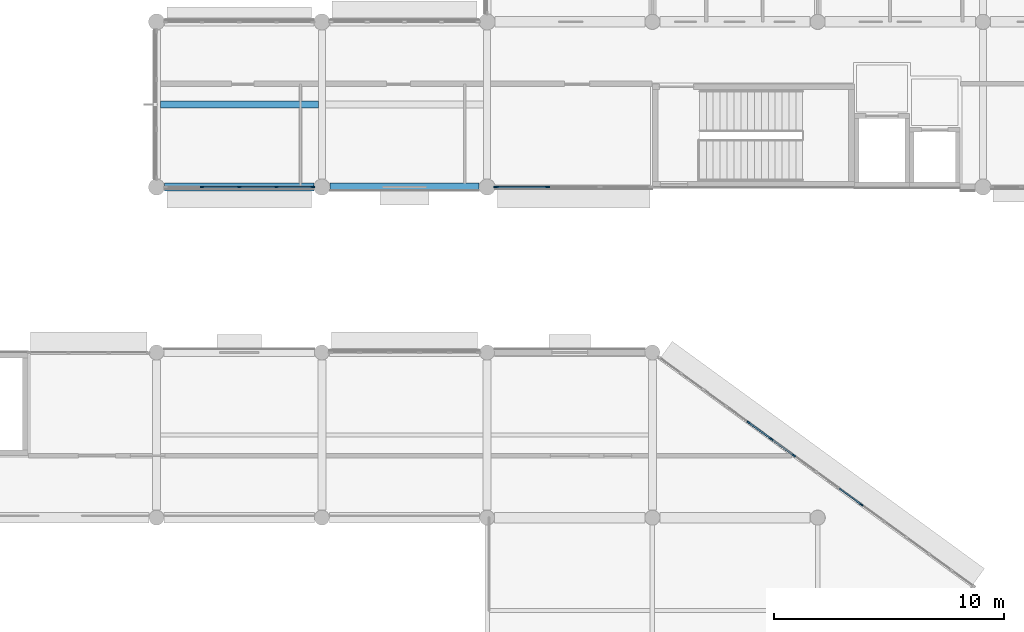
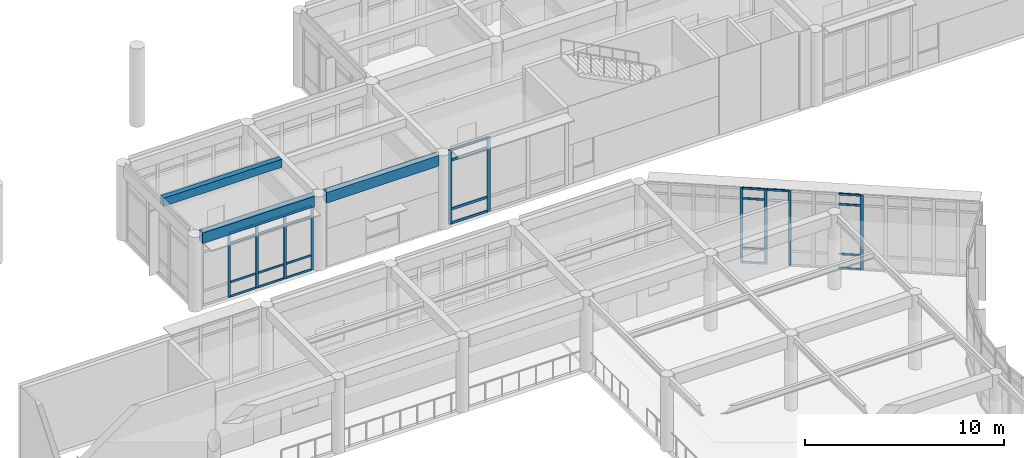
# One storey, part 20 of 92: 35 members, 3 beams, 3 elements without a shape of their own.
"""IFC4 building model written with IfcOpenShell, lengths in metres."""

from ifc_helpers import new_model, si_unit, direction, frame, origin, origin_2d, place, context, subcontext, project, spatial, rectangle, extrude, material, layer, layer_set, material_profile, profile_set, type_object, element, aggregate, save


model = new_model("IFC4")

# Units and contexts
model_context = context("Model", 3, precision=1e-05, world=origin(), true_north=direction((0.0, 1.0)))
body_context = subcontext(model_context, "Body", "Model", "MODEL_VIEW")
ifc_project = project(units=[si_unit("LENGTHUNIT", "METRE"), si_unit("AREAUNIT", "SQUARE_METRE"), si_unit("VOLUMEUNIT", "CUBIC_METRE"), si_unit("PLANEANGLEUNIT", "RADIAN"), si_unit("MASSUNIT", "GRAM", prefix="KILO")], contexts=[model_context])

# Site, building, storey
site_placement = place(None, origin())
site = spatial("IfcSite", under=ifc_project, at=site_placement, CompositionType="ELEMENT")
building_placement = place(site_placement, origin())
building = spatial("IfcBuilding", under=site, at=building_placement, Name="Namkhue Oval Health Centre", CompositionType="ELEMENT")
storey_placement = place(building_placement, frame((0.0, 0.0, 4.800048828125)))
storey = spatial("IfcBuildingStorey", under=building, at=storey_placement, Name="L01", CompositionType="ELEMENT", Elevation=4.800048828125)

# Curtain wall, members
ifc_material_1 = material(Name="Anodised aluminium EN AW-6063 T6", Category="aluminium")
ifc_layer_1 = layer(ifc_material_1, 0.159912109375)
ifc_layer_set_1 = layer_set([ifc_layer_1], Name="Anodised aluminium EN AW-6063 T6")
curtain_wall_type_1 = type_object("IfcCurtainWallType", Name="UNITISED CURTAIN WALL M1200", PredefinedType="NOTDEFINED", material=ifc_layer_set_1)
curtain_wall_1_placement = place(storey_placement, origin())
curtain_wall_1 = element("IfcCurtainWall", 1, at=curtain_wall_1_placement, inside=storey, type_object=curtain_wall_type_1, Name="Volume V1 L01 Unitised Curtain Wall 31", PredefinedType="NOTDEFINED")
ifc_material_profile_1 = material_profile(ifc_material_1, rectangle(XDim=0.06494140625, YDim=0.159912109375, at=origin_2d()), Name="ALU 65x160")
ifc_profile_set_1 = profile_set([ifc_material_profile_1], Name="Anodised aluminium EN AW-6063 T6")
member_type_1 = type_object("IfcMemberType", Name="CURTAIN WALL MULLION 65X160", PredefinedType="MULLION", material=ifc_profile_set_1)
member_1_placement = place(storey_placement, frame((66.708251953125, 76.170654296875, 0.0), z_axis=(0.0, 0.0, 1.0), x_axis=(-0.588476942894, -0.808513999682, 0.0)))
member_1 = element("IfcMember", 2, at=member_1_placement, type_object=member_type_1, Name="CW-01 mullion 6", PredefinedType="MULLION", context=body_context, shape_type="SweptSolid", body=[
    extrude(rectangle(XDim=0.06494140625, YDim=0.159912109375, at=origin_2d()), origin(), (0.0, 0.0, 1.0), 4.599853515625),
])
member_2_placement = place(storey_placement, frame((63.762451171875, 78.314697265625, 0.0), z_axis=(0.0, 0.0, 1.0), x_axis=(-0.588476942894, -0.808513999682, 0.0)))
member_2 = element("IfcMember", 3, at=member_2_placement, type_object=member_type_1, Name="CW-01 mullion 9", PredefinedType="MULLION", context=body_context, shape_type="SweptSolid", body=[
    extrude(rectangle(XDim=0.06494140625, YDim=0.159912109375, at=origin_2d()), origin(), (0.0, 0.0, 1.0), 4.599853515625),
])
member_3_placement = place(storey_placement, frame((62.780517578125, 79.029296875, 0.0), z_axis=(0.0, 0.0, 1.0), x_axis=(-0.588476942894, -0.808513999682, 0.0)))
member_3 = element("IfcMember", 4, at=member_3_placement, type_object=member_type_1, Name="CW-01 mullion 10", PredefinedType="MULLION", context=body_context, shape_type="SweptSolid", body=[
    extrude(rectangle(XDim=0.06494140625, YDim=0.159912109375, at=origin_2d()), origin(), (0.0, 0.0, 1.0), 4.599853515625),
])
member_4_placement = place(storey_placement, frame((61.798583984375, 79.744140625, 0.0), z_axis=(0.0, 0.0, 1.0), x_axis=(-0.588476942894, -0.808513999682, 0.0)))
member_4 = element("IfcMember", 5, at=member_4_placement, type_object=member_type_1, Name="CW-01 mullion 11", PredefinedType="MULLION", context=body_context, shape_type="SweptSolid", body=[
    extrude(rectangle(XDim=0.06494140625, YDim=0.159912109375, at=origin_2d()), origin(), (0.0, 0.0, 1.0), 4.599853515625),
])

ifc_layer_2 = layer(ifc_material_1, 0.159912109375)
ifc_layer_set_2 = layer_set([ifc_layer_2], Name="Anodised aluminium EN AW-6063 T6")
curtain_wall_type_2 = type_object("IfcCurtainWallType", Name="UNITISED CURTAIN WALL M1800", PredefinedType="NOTDEFINED", material=ifc_layer_set_2)
curtain_wall_2_placement = place(storey_placement, origin())
curtain_wall_2 = element("IfcCurtainWall", 6, at=curtain_wall_2_placement, inside=storey, type_object=curtain_wall_type_2, Name="Volume V2 L01 Unitised Curtain Wall 47", PredefinedType="NOTDEFINED")
member_5_placement = place(storey_placement, frame((37.97998046875, 90.0, 0.0), z_axis=(0.0, 0.0, 1.0), x_axis=(0.0, 1.0, 0.0)))
member_5 = element("IfcMember", 7, at=member_5_placement, type_object=member_type_1, Name="CW-05 mullion 2", PredefinedType="MULLION", context=body_context, shape_type="SweptSolid", body=[
    extrude(rectangle(XDim=0.06494140625, YDim=0.159912109375, at=origin_2d()), origin(), (0.0, 0.0, 1.0), 3.93505859375),
])
member_6_placement = place(storey_placement, frame((39.60009765625, 90.0, 0.0), z_axis=(0.0, 0.0, 1.0), x_axis=(0.0, 1.0, 0.0)))
member_6 = element("IfcMember", 8, at=member_6_placement, type_object=member_type_1, Name="CW-05 mullion 3", PredefinedType="MULLION", context=body_context, shape_type="SweptSolid", body=[
    extrude(rectangle(XDim=0.06494140625, YDim=0.159912109375, at=origin_2d()), origin(), (0.0, 0.0, 1.0), 3.93505859375),
])
member_7_placement = place(storey_placement, frame((41.219970703125, 90.0, 0.0), z_axis=(0.0, 0.0, 1.0), x_axis=(0.0, 1.0, 0.0)))
member_7 = element("IfcMember", 9, at=member_7_placement, type_object=member_type_1, Name="CW-05 mullion 4", PredefinedType="MULLION", context=body_context, shape_type="SweptSolid", body=[
    extrude(rectangle(XDim=0.06494140625, YDim=0.159912109375, at=origin_2d()), origin(), (0.0, 0.0, 1.0), 3.93505859375),
])
member_8_placement = place(storey_placement, frame((42.8076171875, 90.0, 0.0), z_axis=(0.0, 0.0, 1.0), x_axis=(0.0, 1.0, 0.0)))
member_8 = element("IfcMember", 10, at=member_8_placement, type_object=member_type_1, Name="CW-05 mullion 5", PredefinedType="MULLION", context=body_context, shape_type="SweptSolid", body=[
    extrude(rectangle(XDim=0.06494140625, YDim=0.159912109375, at=origin_2d()), origin(), (0.0, 0.0, 1.0), 3.93505859375),
])

ifc_layer_3 = layer(ifc_material_1, 0.159912109375)
ifc_layer_set_3 = layer_set([ifc_layer_3], Name="Anodised aluminium EN AW-6063 T6")
curtain_wall_type_3 = type_object("IfcCurtainWallType", Name="UNITISED CURTAIN WALL M2000", PredefinedType="NOTDEFINED", material=ifc_layer_set_3)
curtain_wall_3_placement = place(storey_placement, origin())
curtain_wall_3 = element("IfcCurtainWall", 11, at=curtain_wall_3_placement, inside=storey, type_object=curtain_wall_type_3, Name="Volume V2 L01 Unitised Curtain Wall 48", PredefinedType="NOTDEFINED")
ifc_material_profile_2 = material_profile(ifc_material_1, rectangle(XDim=0.074951171875, YDim=0.199951171875, at=origin_2d()), Name="ALU 75x200")
ifc_profile_set_2 = profile_set([ifc_material_profile_2], Name="Anodised aluminium EN AW-6063 T6")
member_type_2 = type_object("IfcMemberType", Name="CURTAIN WALL MULLION 75X200", PredefinedType="MULLION", material=ifc_profile_set_2)
member_9_placement = place(storey_placement, frame((50.797607421875, 90.0, 0.0), z_axis=(0.0, 0.0, 1.0), x_axis=(0.0, 1.0, 0.0)))
member_9 = element("IfcMember", 12, at=member_9_placement, type_object=member_type_2, Name="CW-06 mullion 1", PredefinedType="MULLION", context=body_context, shape_type="SweptSolid", body=[
    extrude(rectangle(XDim=0.074951171875, YDim=0.199951171875, at=origin_2d()), origin(), (0.0, 0.0, 1.0), 4.554931640625),
])
member_10_placement = place(storey_placement, frame((53.034423828125, 90.0, 0.0), z_axis=(0.0, 0.0, 1.0), x_axis=(0.0, 1.0, 0.0)))
member_10 = element("IfcMember", 13, at=member_10_placement, type_object=member_type_2, Name="CW-06 mullion 2", PredefinedType="MULLION", context=body_context, shape_type="SweptSolid", body=[
    extrude(rectangle(XDim=0.074951171875, YDim=0.199951171875, at=origin_2d()), origin(), (0.0, 0.0, 1.0), 4.554931640625),
])

# Member
ifc_material_profile_3 = material_profile(ifc_material_1, rectangle(XDim=0.06494140625, YDim=0.1201171875, at=origin_2d()), Name="ALU 65x120")
ifc_profile_set_3 = profile_set([ifc_material_profile_3], Name="Anodised aluminium EN AW-6063 T6")
member_type_3 = type_object("IfcMemberType", Name="CURTAIN WALL TRANSOM 65X120", PredefinedType="USERDEFINED", material=ifc_profile_set_3)
member_11_placement = place(storey_placement, frame((66.68212890625, 76.189697265625, 0.032470703125), z_axis=(-0.808506429569, 0.588487343403, 0.0), x_axis=(-0.588487343403, -0.808506429569, 0.0)))
member_11 = element("IfcMember", 14, at=member_11_placement, type_object=member_type_3, Name="CW-01 transom 6.1", ObjectType="TRANSOM", PredefinedType="USERDEFINED", context=body_context, shape_type="SweptSolid", body=[
    extrude(rectangle(XDim=0.06494140625, YDim=0.1201171875, at=origin_2d()), origin(), (0.0, 0.0, 1.0), 1.149658203125),
])

member_12_placement = place(storey_placement, frame((66.68212890625, 76.189697265625, 0.89990234375), z_axis=(-0.808506429569, 0.588487343403, 0.0), x_axis=(-0.588487343403, -0.808506429569, 0.0)))
member_12 = element("IfcMember", 15, at=member_12_placement, type_object=member_type_3, Name="CW-01 transom 6.2", ObjectType="TRANSOM", PredefinedType="USERDEFINED", context=body_context, shape_type="SweptSolid", body=[
    extrude(rectangle(XDim=0.06494140625, YDim=0.1201171875, at=origin_2d()), origin(), (0.0, 0.0, 1.0), 1.149658203125),
])

member_13_placement = place(storey_placement, frame((66.68212890625, 76.189697265625, 3.949951171875), z_axis=(-0.808506429569, 0.588487343403, 0.0), x_axis=(-0.588487343403, -0.808506429569, 0.0)))
member_13 = element("IfcMember", 16, at=member_13_placement, type_object=member_type_3, Name="CW-01 transom 6.3", ObjectType="TRANSOM", PredefinedType="USERDEFINED", context=body_context, shape_type="SweptSolid", body=[
    extrude(rectangle(XDim=0.06494140625, YDim=0.1201171875, at=origin_2d()), origin(), (0.0, 0.0, 1.0), 1.149658203125),
])

member_14_placement = place(storey_placement, frame((66.68212890625, 76.189697265625, 4.5673828125), z_axis=(-0.808506429569, 0.588487343403, 0.0), x_axis=(-0.588487343403, -0.808506429569, 0.0)))
member_14 = element("IfcMember", 17, at=member_14_placement, type_object=member_type_3, Name="CW-01 transom 6.4", ObjectType="TRANSOM", PredefinedType="USERDEFINED", context=body_context, shape_type="SweptSolid", body=[
    extrude(rectangle(XDim=0.06494140625, YDim=0.1201171875, at=origin_2d()), origin(), (0.0, 0.0, 1.0), 1.149658203125),
])

member_15_placement = place(storey_placement, frame((63.736083984375, 78.333740234375, 4.5673828125), z_axis=(-0.808432861947, 0.588588402642, 0.0), x_axis=(-0.588588402642, -0.808432861947, 0.0)))
member_15 = element("IfcMember", 18, at=member_15_placement, type_object=member_type_3, Name="CW-01 transom 9.4", ObjectType="TRANSOM", PredefinedType="USERDEFINED", context=body_context, shape_type="SweptSolid", body=[
    extrude(rectangle(XDim=0.06494140625, YDim=0.1201171875, at=origin_2d()), origin(), (0.0, 0.0, 1.0), 1.1494140625),
])

member_16_placement = place(storey_placement, frame((62.754150390625, 79.048583984375, 0.032470703125), z_axis=(-0.808533934655, 0.588449553073, 0.0), x_axis=(-0.588449553073, -0.808533934655, 0.0)))
member_16 = element("IfcMember", 19, at=member_16_placement, type_object=member_type_3, Name="CW-01 transom 10.1", ObjectType="TRANSOM", PredefinedType="USERDEFINED", context=body_context, shape_type="SweptSolid", body=[
    extrude(rectangle(XDim=0.06494140625, YDim=0.1201171875, at=origin_2d()), origin(), (0.0, 0.0, 1.0), 1.149169921875),
])

member_17_placement = place(storey_placement, frame((62.754150390625, 79.048583984375, 0.89990234375), z_axis=(-0.808533934655, 0.588449553073, 0.0), x_axis=(-0.588449553073, -0.808533934655, 0.0)))
member_17 = element("IfcMember", 20, at=member_17_placement, type_object=member_type_3, Name="CW-01 transom 10.2", ObjectType="TRANSOM", PredefinedType="USERDEFINED", context=body_context, shape_type="SweptSolid", body=[
    extrude(rectangle(XDim=0.06494140625, YDim=0.1201171875, at=origin_2d()), origin(), (0.0, 0.0, 1.0), 1.149169921875),
])

member_18_placement = place(storey_placement, frame((62.754150390625, 79.048583984375, 3.949951171875), z_axis=(-0.808533934655, 0.588449553073, 0.0), x_axis=(-0.588449553073, -0.808533934655, 0.0)))
member_18 = element("IfcMember", 21, at=member_18_placement, type_object=member_type_3, Name="CW-01 transom 10.3", ObjectType="TRANSOM", PredefinedType="USERDEFINED", context=body_context, shape_type="SweptSolid", body=[
    extrude(rectangle(XDim=0.06494140625, YDim=0.1201171875, at=origin_2d()), origin(), (0.0, 0.0, 1.0), 1.149169921875),
])

member_19_placement = place(storey_placement, frame((62.754150390625, 79.048583984375, 4.5673828125), z_axis=(-0.808533934655, 0.588449553073, 0.0), x_axis=(-0.588449553073, -0.808533934655, 0.0)))
member_19 = element("IfcMember", 22, at=member_19_placement, type_object=member_type_3, Name="CW-01 transom 10.4", ObjectType="TRANSOM", PredefinedType="USERDEFINED", context=body_context, shape_type="SweptSolid", body=[
    extrude(rectangle(XDim=0.06494140625, YDim=0.1201171875, at=origin_2d()), origin(), (0.0, 0.0, 1.0), 1.149169921875),
])

aggregate(curtain_wall_1, [member_1, member_2, member_3, member_4, member_11, member_12, member_13, member_14, member_15, member_16, member_17, member_18, member_19])

member_20_placement = place(storey_placement, frame((38.012451171875, 90.0, 0.032470703125), z_axis=(1.0, 0.0, 0.0), x_axis=(0.0, 1.0, 0.0)))
member_20 = element("IfcMember", 23, at=member_20_placement, type_object=member_type_3, Name="CW-05 transom 2.1", ObjectType="TRANSOM", PredefinedType="USERDEFINED", context=body_context, shape_type="SweptSolid", body=[
    extrude(rectangle(XDim=0.06494140625, YDim=0.1201171875, at=origin_2d()), origin(), (0.0, 0.0, 1.0), 1.554931640625),
])

member_21_placement = place(storey_placement, frame((38.012451171875, 90.0, 0.89990234375), z_axis=(1.0, 0.0, 0.0), x_axis=(0.0, 1.0, 0.0)))
member_21 = element("IfcMember", 24, at=member_21_placement, type_object=member_type_3, Name="CW-05 transom 2.2", ObjectType="TRANSOM", PredefinedType="USERDEFINED", context=body_context, shape_type="SweptSolid", body=[
    extrude(rectangle(XDim=0.06494140625, YDim=0.1201171875, at=origin_2d()), origin(), (0.0, 0.0, 1.0), 1.554931640625),
])

member_22_placement = place(storey_placement, frame((38.012451171875, 90.0, 3.284912109375), z_axis=(1.0, 0.0, 0.0), x_axis=(0.0, 1.0, 0.0)))
member_22 = element("IfcMember", 25, at=member_22_placement, type_object=member_type_3, Name="CW-05 transom 2.3", ObjectType="TRANSOM", PredefinedType="USERDEFINED", context=body_context, shape_type="SweptSolid", body=[
    extrude(rectangle(XDim=0.06494140625, YDim=0.1201171875, at=origin_2d()), origin(), (0.0, 0.0, 1.0), 1.554931640625),
])

member_23_placement = place(storey_placement, frame((38.012451171875, 90.0, 3.90234375), z_axis=(1.0, 0.0, 0.0), x_axis=(0.0, 1.0, 0.0)))
member_23 = element("IfcMember", 26, at=member_23_placement, type_object=member_type_3, Name="CW-05 transom 2.4", ObjectType="TRANSOM", PredefinedType="USERDEFINED", context=body_context, shape_type="SweptSolid", body=[
    extrude(rectangle(XDim=0.06494140625, YDim=0.1201171875, at=origin_2d()), origin(), (0.0, 0.0, 1.0), 1.554931640625),
])

member_24_placement = place(storey_placement, frame((39.632568359375, 90.0, 0.032470703125), z_axis=(1.0, 0.0, 0.0), x_axis=(0.0, 1.0, 0.0)))
member_24 = element("IfcMember", 27, at=member_24_placement, type_object=member_type_3, Name="CW-05 transom 3.1", ObjectType="TRANSOM", PredefinedType="USERDEFINED", context=body_context, shape_type="SweptSolid", body=[
    extrude(rectangle(XDim=0.06494140625, YDim=0.1201171875, at=origin_2d()), origin(), (0.0, 0.0, 1.0), 1.554931640625),
])

member_25_placement = place(storey_placement, frame((39.632568359375, 90.0, 0.89990234375), z_axis=(1.0, 0.0, 0.0), x_axis=(0.0, 1.0, 0.0)))
member_25 = element("IfcMember", 28, at=member_25_placement, type_object=member_type_3, Name="CW-05 transom 3.2", ObjectType="TRANSOM", PredefinedType="USERDEFINED", context=body_context, shape_type="SweptSolid", body=[
    extrude(rectangle(XDim=0.06494140625, YDim=0.1201171875, at=origin_2d()), origin(), (0.0, 0.0, 1.0), 1.554931640625),
])

member_26_placement = place(storey_placement, frame((39.632568359375, 90.0, 3.284912109375), z_axis=(1.0, 0.0, 0.0), x_axis=(0.0, 1.0, 0.0)))
member_26 = element("IfcMember", 29, at=member_26_placement, type_object=member_type_3, Name="CW-05 transom 3.3", ObjectType="TRANSOM", PredefinedType="USERDEFINED", context=body_context, shape_type="SweptSolid", body=[
    extrude(rectangle(XDim=0.06494140625, YDim=0.1201171875, at=origin_2d()), origin(), (0.0, 0.0, 1.0), 1.554931640625),
])

member_27_placement = place(storey_placement, frame((39.632568359375, 90.0, 3.90234375), z_axis=(1.0, 0.0, 0.0), x_axis=(0.0, 1.0, 0.0)))
member_27 = element("IfcMember", 30, at=member_27_placement, type_object=member_type_3, Name="CW-05 transom 3.4", ObjectType="TRANSOM", PredefinedType="USERDEFINED", context=body_context, shape_type="SweptSolid", body=[
    extrude(rectangle(XDim=0.06494140625, YDim=0.1201171875, at=origin_2d()), origin(), (0.0, 0.0, 1.0), 1.554931640625),
])

member_28_placement = place(storey_placement, frame((41.25244140625, 90.0, 0.032470703125), z_axis=(1.0, 0.0, 0.0), x_axis=(0.0, 1.0, 0.0)))
member_28 = element("IfcMember", 31, at=member_28_placement, type_object=member_type_3, Name="CW-05 transom 4.1", ObjectType="TRANSOM", PredefinedType="USERDEFINED", context=body_context, shape_type="SweptSolid", body=[
    extrude(rectangle(XDim=0.06494140625, YDim=0.1201171875, at=origin_2d()), origin(), (0.0, 0.0, 1.0), 1.5224609375),
])

member_29_placement = place(storey_placement, frame((41.25244140625, 90.0, 0.89990234375), z_axis=(1.0, 0.0, 0.0), x_axis=(0.0, 1.0, 0.0)))
member_29 = element("IfcMember", 32, at=member_29_placement, type_object=member_type_3, Name="CW-05 transom 4.2", ObjectType="TRANSOM", PredefinedType="USERDEFINED", context=body_context, shape_type="SweptSolid", body=[
    extrude(rectangle(XDim=0.06494140625, YDim=0.1201171875, at=origin_2d()), origin(), (0.0, 0.0, 1.0), 1.5224609375),
])

member_30_placement = place(storey_placement, frame((41.25244140625, 90.0, 3.284912109375), z_axis=(1.0, 0.0, 0.0), x_axis=(0.0, 1.0, 0.0)))
member_30 = element("IfcMember", 33, at=member_30_placement, type_object=member_type_3, Name="CW-05 transom 4.3", ObjectType="TRANSOM", PredefinedType="USERDEFINED", context=body_context, shape_type="SweptSolid", body=[
    extrude(rectangle(XDim=0.06494140625, YDim=0.1201171875, at=origin_2d()), origin(), (0.0, 0.0, 1.0), 1.5224609375),
])

member_31_placement = place(storey_placement, frame((41.25244140625, 90.0, 3.90234375), z_axis=(1.0, 0.0, 0.0), x_axis=(0.0, 1.0, 0.0)))
member_31 = element("IfcMember", 34, at=member_31_placement, type_object=member_type_3, Name="CW-05 transom 4.4", ObjectType="TRANSOM", PredefinedType="USERDEFINED", context=body_context, shape_type="SweptSolid", body=[
    extrude(rectangle(XDim=0.06494140625, YDim=0.1201171875, at=origin_2d()), origin(), (0.0, 0.0, 1.0), 1.5224609375),
])

aggregate(curtain_wall_2, [member_5, member_6, member_7, member_8, member_20, member_21, member_22, member_23, member_24, member_25, member_26, member_27, member_28, member_29, member_30, member_31])

ifc_material_profile_4 = material_profile(ifc_material_1, rectangle(XDim=0.074951171875, YDim=0.14990234375, at=origin_2d()), Name="ALU 75x150")
ifc_profile_set_4 = profile_set([ifc_material_profile_4], Name="Anodised aluminium EN AW-6063 T6")
member_type_4 = type_object("IfcMemberType", Name="CURTAIN WALL TRANSOM 75X150", PredefinedType="USERDEFINED", material=ifc_profile_set_4)
member_32_placement = place(storey_placement, frame((50.8349609375, 90.0, 0.037353515625), z_axis=(1.0, 0.0, 0.0), x_axis=(0.0, 1.0, 0.0)))
member_32 = element("IfcMember", 35, at=member_32_placement, type_object=member_type_4, Name="CW-06 transom 1.1", ObjectType="TRANSOM", PredefinedType="USERDEFINED", context=body_context, shape_type="SweptSolid", body=[
    extrude(rectangle(XDim=0.074951171875, YDim=0.14990234375, at=origin_2d()), origin(), (0.0, 0.0, 1.0), 2.161865234375),
])

member_33_placement = place(storey_placement, frame((50.8349609375, 90.0, 0.89990234375), z_axis=(1.0, 0.0, 0.0), x_axis=(0.0, 1.0, 0.0)))
member_33 = element("IfcMember", 36, at=member_33_placement, type_object=member_type_4, Name="CW-06 transom 1.2", ObjectType="TRANSOM", PredefinedType="USERDEFINED", context=body_context, shape_type="SweptSolid", body=[
    extrude(rectangle(XDim=0.074951171875, YDim=0.14990234375, at=origin_2d()), origin(), (0.0, 0.0, 1.0), 2.161865234375),
])

member_34_placement = place(storey_placement, frame((50.8349609375, 90.0, 3.905029296875), z_axis=(1.0, 0.0, 0.0), x_axis=(0.0, 1.0, 0.0)))
member_34 = element("IfcMember", 37, at=member_34_placement, type_object=member_type_4, Name="CW-06 transom 1.3", ObjectType="TRANSOM", PredefinedType="USERDEFINED", context=body_context, shape_type="SweptSolid", body=[
    extrude(rectangle(XDim=0.074951171875, YDim=0.14990234375, at=origin_2d()), origin(), (0.0, 0.0, 1.0), 2.161865234375),
])

member_35_placement = place(storey_placement, frame((50.8349609375, 90.0, 4.517333984375), z_axis=(1.0, 0.0, 0.0), x_axis=(0.0, 1.0, 0.0)))
member_35 = element("IfcMember", 38, at=member_35_placement, type_object=member_type_4, Name="CW-06 transom 1.4", ObjectType="TRANSOM", PredefinedType="USERDEFINED", context=body_context, shape_type="SweptSolid", body=[
    extrude(rectangle(XDim=0.074951171875, YDim=0.14990234375, at=origin_2d()), origin(), (0.0, 0.0, 1.0), 2.161865234375),
])

aggregate(curtain_wall_3, [member_9, member_10, member_32, member_33, member_34, member_35])

# Beams
ifc_material_2 = material(Name="Reinforced concrete C35/45 (TCVN B40)", Category="concrete")
ifc_material_profile_5 = material_profile(ifc_material_2, rectangle(XDim=0.35009765625, YDim=0.64990234375, at=origin_2d()), Name="RC 350x650")
ifc_profile_set_5 = profile_set([ifc_material_profile_5], Name="Reinforced concrete C35/45 (TCVN B40)")
beam_type_1 = type_object("IfcBeamType", Name="PERIMETER SPANDREL BEAM 350X650", PredefinedType="SPANDREL", material=ifc_profile_set_5)
for number, where, z_axis, x_axis, name in (
    (39, (36.35009765625, 90.0, 4.260009765625), (1.0, 0.0, 0.0), (0.0, 1.0, 0.0), "Volume V2 L02 Girder N/6-7"),
    (40, (43.550048828125, 90.0, 4.22998046875), (1.0, 0.0, 0.0), (0.0, 1.0, 0.0), "Volume V2 L02 Girder N/7-8"),
):
    element("IfcBeam", number, at=place(storey_placement, frame(where, z_axis=z_axis, x_axis=x_axis)), inside=storey, type_object=beam_type_1, Name=name, PredefinedType="SPANDREL", context=body_context, shape_type="SweptSolid", body=[
        extrude(rectangle(XDim=0.35009765625, YDim=0.64990234375, at=origin_2d()), origin(), (0.0, 0.0, 1.0), 6.5),
    ])
ifc_material_3 = material(Name="Reinforced concrete C30/37 (TCVN B35)", Category="concrete")
ifc_material_profile_6 = material_profile(ifc_material_3, rectangle(XDim=0.300048828125, YDim=0.5, at=origin_2d()), Name="RC 300x500")
ifc_profile_set_6 = profile_set([ifc_material_profile_6], Name="Reinforced concrete C30/37 (TCVN B35)")
beam_type_2 = type_object("IfcBeamType", Name="SECONDARY JOIST RC 300X500", PredefinedType="JOIST", material=ifc_profile_set_6)
beam_placement = place(storey_placement, frame((36.175048828125, 93.60009765625, 4.3349609375), z_axis=(1.0, 0.0, 0.0), x_axis=(0.0, 1.0, 0.0)))
element("IfcBeam", 41, at=beam_placement, inside=storey, type_object=beam_type_2, Name="Volume V2 L02 Secondary Joist 6-7", PredefinedType="JOIST", context=body_context, shape_type="SweptSolid", body=[
    extrude(rectangle(XDim=0.300048828125, YDim=0.5, at=origin_2d()), origin(), (0.0, 0.0, 1.0), 6.875),
])

save(model, "model.ifc")
